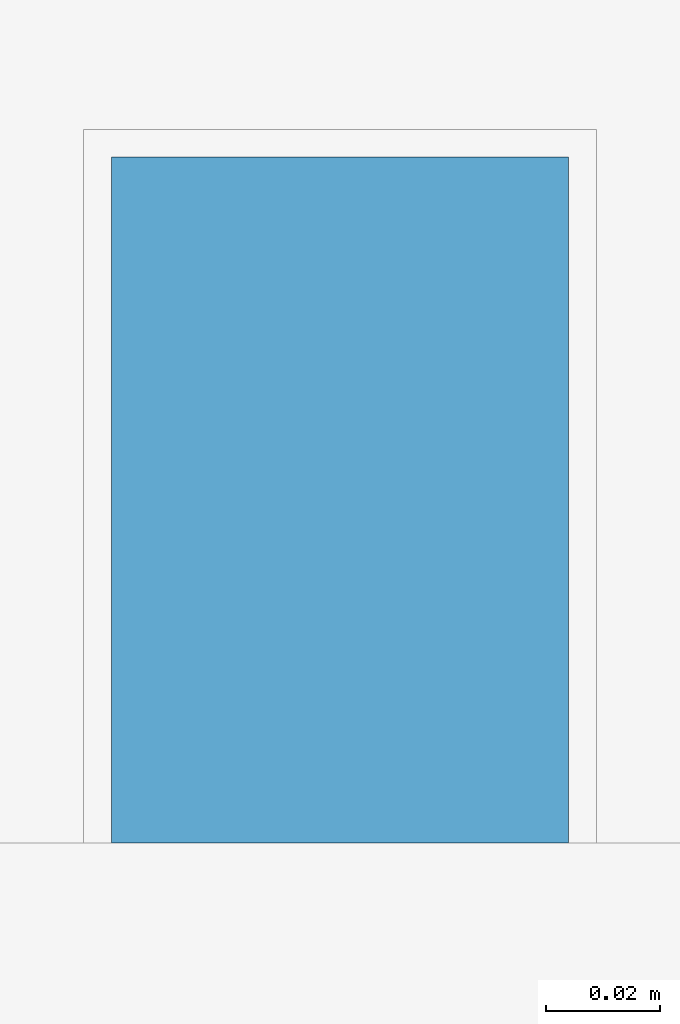
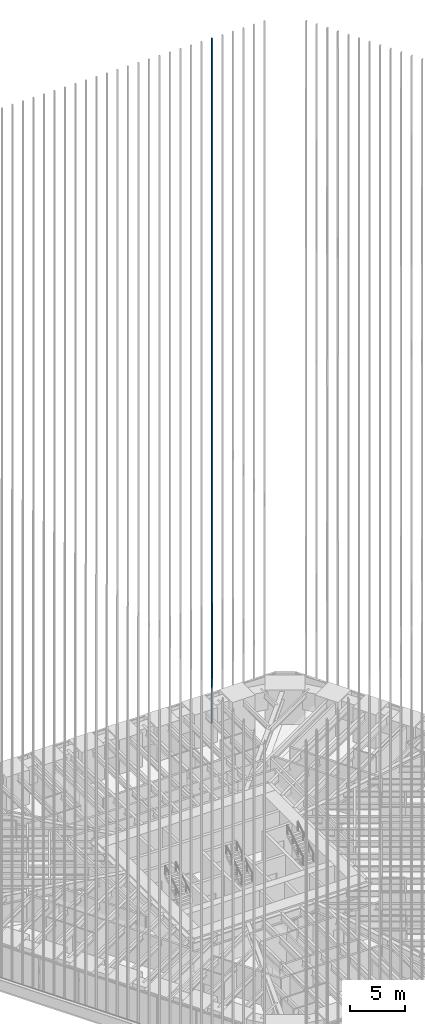
# One storey, part 213 of 238: 1 member, 1 element without a shape of its own.
"""IFC4 building model written with IfcOpenShell, lengths in metres."""

from ifc_helpers import new_model, si_unit, direction, frame, origin, origin_2d, place, context, subcontext, project, spatial, rectangle, extrude, material, material_profile, profile_set, type_object, element, aggregate, save


model = new_model("IFC4")

# Units and contexts
model_context = context("Model", 3, precision=1e-05, world=origin(), true_north=direction((0.0, 1.0)))
body_context = subcontext(model_context, "Body", "Model", "MODEL_VIEW")
ifc_project = project(units=[si_unit("LENGTHUNIT", "METRE"), si_unit("AREAUNIT", "SQUARE_METRE"), si_unit("VOLUMEUNIT", "CUBIC_METRE"), si_unit("PLANEANGLEUNIT", "RADIAN"), si_unit("MASSUNIT", "GRAM", prefix="KILO")], contexts=[model_context])

# Site, building, storey
site_placement = place(None, origin())
site = spatial("IfcSite", under=ifc_project, at=site_placement, CompositionType="ELEMENT")
building_placement = place(site_placement, origin())
building = spatial("IfcBuilding", under=site, at=building_placement, Name="Sandreach Pilgrim Tower", CompositionType="ELEMENT")
storey_placement = place(building_placement, frame((0.0, 0.0, 96.800048828125)))
storey = spatial("IfcBuildingStorey", under=building, at=storey_placement, Name="L23", CompositionType="ELEMENT", Elevation=96.800048828125)

# Curtain wall, member
ifc_material_1 = material(Name="Aluminium framed curtain wall", Category="aluminium")
curtain_wall_type = type_object("IfcCurtainWallType", Name="Hotel tower curtain wall", PredefinedType="NOTDEFINED", material=ifc_material_1)
curtain_wall_placement = place(storey_placement, origin())
curtain_wall = element("IfcCurtainWall", 1, at=curtain_wall_placement, inside=storey, type_object=curtain_wall_type, Name="CW-2 L23 N", PredefinedType="NOTDEFINED")
ifc_material_2 = material(Name="Extruded terracotta on aluminium core", Category="masonry")
ifc_material_profile = material_profile(ifc_material_2, rectangle(XDim=0.080078125, YDim=0.1201171875, at=origin_2d()), Name="TBN 80X120")
ifc_profile_set = profile_set([ifc_material_profile], Name="Extruded terracotta on aluminium core")
member_type = type_object("IfcMemberType", Name="Terracotta baguette north", PredefinedType="USERDEFINED", material=ifc_profile_set)
member_placement = place(storey_placement, frame((12.093017578125, 22.853759765625, 0.0), z_axis=(0.0, 0.0, 1.0), x_axis=(1.0, 0.0, 0.0)))
member = element("IfcMember", 2, at=member_placement, type_object=member_type, Name="Baguette Z2 N28", ObjectType="BAGUETTE", PredefinedType="USERDEFINED", context=body_context, shape_type="SweptSolid", body=[
    extrude(rectangle(XDim=0.080078125, YDim=0.1201171875, at=origin_2d()), origin(), (0.0, 0.0, 1.0), 75.83984375),
])
aggregate(curtain_wall, [member])

save(model, "model.ifc")
